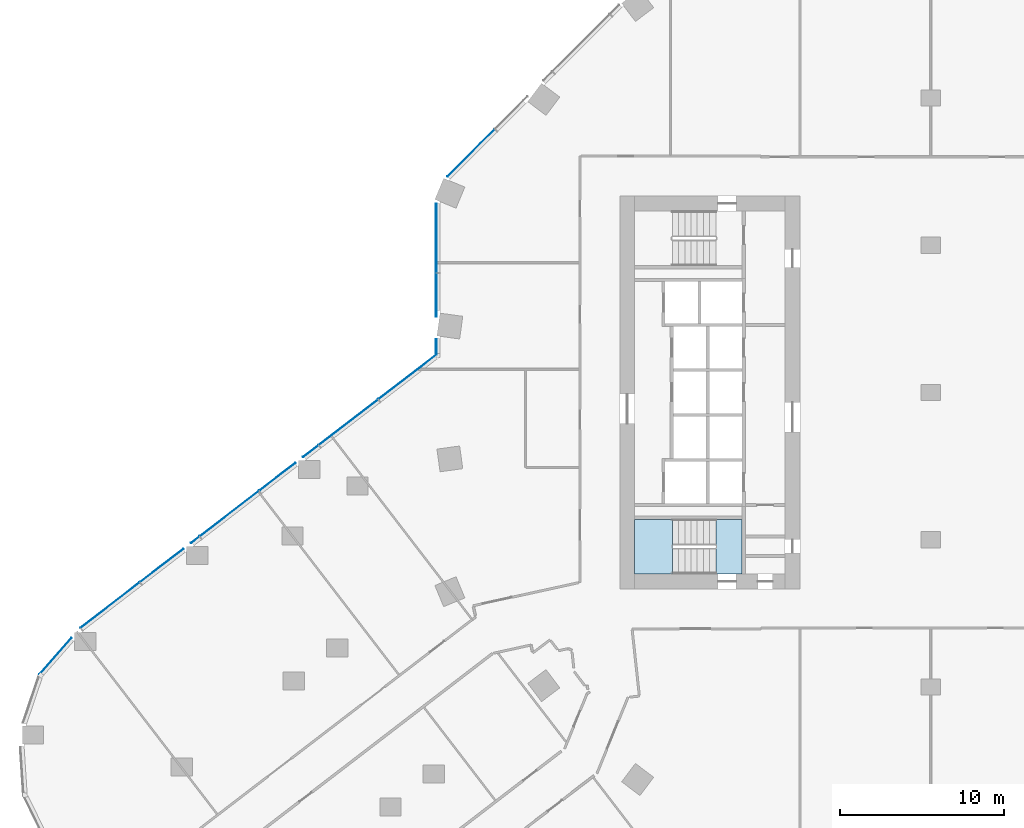
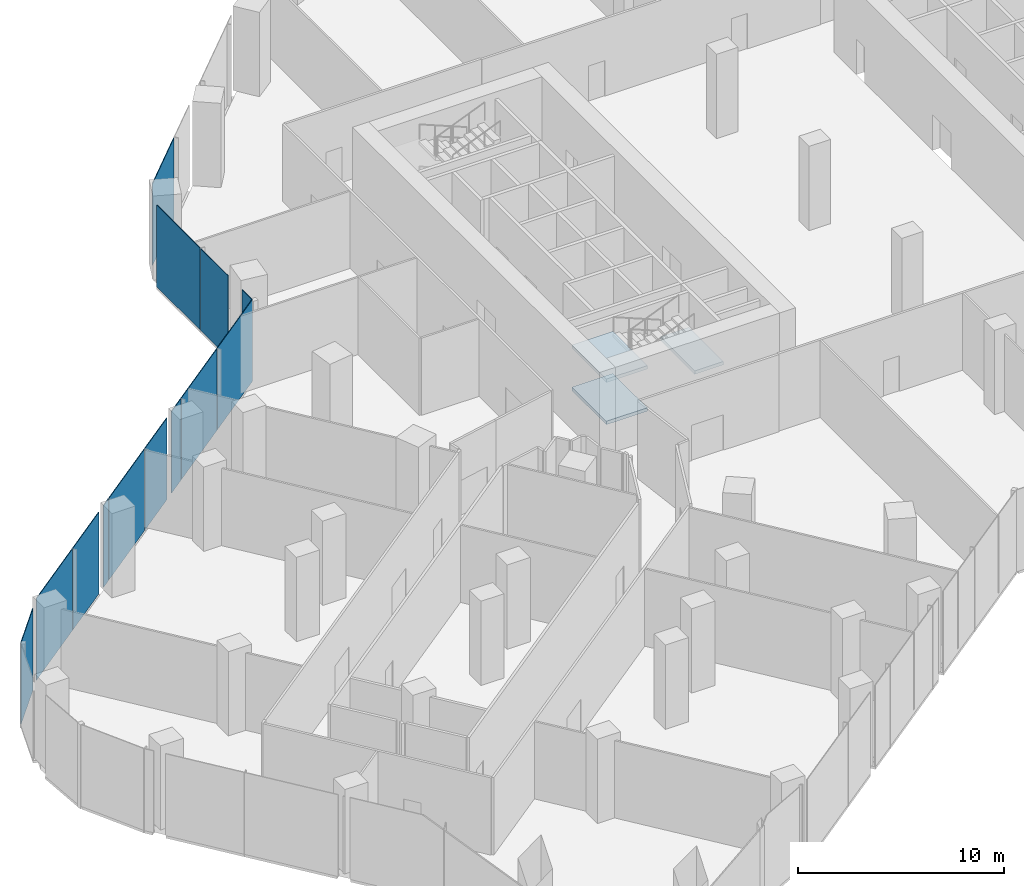
# One storey, part 16 of 29: 13 plates, 3 slabs, 5 elements without a shape of their own.
"""IFC4 building model written with IfcOpenShell, lengths in metres."""

from ifc_helpers import new_model, si_unit, direction, frame, origin, origin_2d, place, context, subcontext, project, spatial, polyline, rectangle, outline, extrude, material, layer, layer_set, type_object, element, aggregate, save


model = new_model("IFC4")

# Units and contexts
model_context = context("Model", 3, precision=1e-05, world=origin(), true_north=direction((0.0, 1.0)))
body_context = subcontext(model_context, "Body", "Model", "MODEL_VIEW")
ifc_project = project(units=[si_unit("LENGTHUNIT", "METRE"), si_unit("AREAUNIT", "SQUARE_METRE"), si_unit("VOLUMEUNIT", "CUBIC_METRE"), si_unit("PLANEANGLEUNIT", "RADIAN"), si_unit("MASSUNIT", "GRAM", prefix="KILO")], contexts=[model_context])

# Site, building, storey
site_placement = place(None, origin())
site = spatial("IfcSite", under=ifc_project, at=site_placement, CompositionType="ELEMENT")
building_placement = place(site_placement, origin())
building = spatial("IfcBuilding", under=site, at=building_placement, Name="Orlundy Tower", CompositionType="ELEMENT")
storey_placement = place(building_placement, frame((0.0, 0.0, 15.5)))
storey = spatial("IfcBuildingStorey", under=building, at=storey_placement, Name="L02", CompositionType="ELEMENT", Elevation=15.5)

# Curtain wall, plate
ifc_material_1 = material(Name="Aluminium bronze anodised", Category="aluminium")
curtain_wall_type = type_object("IfcCurtainWallType", Name="CW2 wall", PredefinedType="NOTDEFINED", material=ifc_material_1)
curtain_wall_1_placement = place(storey_placement, origin())
curtain_wall_1 = element("IfcCurtainWall", 1, at=curtain_wall_1_placement, inside=storey, type_object=curtain_wall_type, Name="CW2 run 011", PredefinedType="NOTDEFINED")
ifc_material_2 = material(Name="Tinted glass", Category="glass")
ifc_layer_1 = layer(ifc_material_2, 0.0380859375)
ifc_layer_set_1 = layer_set([ifc_layer_1], Name="CW2 glass panel 38")
plate_type = type_object("IfcPlateType", Name="CW2 glass panel 38", PredefinedType="CURTAIN_PANEL", material=ifc_layer_set_1)
plate_1_placement = place(storey_placement, frame((-53.513916015625, -16.126220703125, -0.25), z_axis=(0.0, 0.0, 1.0), x_axis=(0.65932547196, 0.751857647447, 0.0)))
plate_1 = element("IfcPlate", 2, at=plate_1_placement, type_object=plate_type, Name="CW2 panel", PredefinedType="CURTAIN_PANEL", context=body_context, shape_type="SweptSolid", body=[
    extrude(rectangle(XDim=2.963623046875, YDim=0.0380859375, at=origin_2d()), origin(), (0.0, 0.0, 1.0), 4.85009765625),
])
aggregate(curtain_wall_1, [plate_1])

# Curtain wall, plates
curtain_wall_2_placement = place(storey_placement, origin())
curtain_wall_2 = element("IfcCurtainWall", 3, at=curtain_wall_2_placement, inside=storey, type_object=curtain_wall_type, Name="CW2 run 012", PredefinedType="NOTDEFINED")
plate_2_placement = place(storey_placement, frame((-50.17236328125, -12.997802734375, -0.25), z_axis=(0.0, 0.0, 1.0), x_axis=(0.793348488271, 0.608767752232, 0.0)))
plate_2 = element("IfcPlate", 4, at=plate_2_placement, type_object=plate_type, Name="CW2 panel", PredefinedType="CURTAIN_PANEL", context=body_context, shape_type="SweptSolid", body=[
    extrude(rectangle(XDim=4.5615234375, YDim=0.0380859375, at=origin_2d()), origin(), (0.0, 0.0, 1.0), 4.85009765625),
])
plate_3_placement = place(storey_placement, frame((-47.006591796875, -10.568603515625, -0.25), z_axis=(0.0, 0.0, 1.0), x_axis=(0.793348488271, 0.608767752232, 0.0)))
plate_3 = element("IfcPlate", 5, at=plate_3_placement, type_object=plate_type, Name="CW2 panel", PredefinedType="CURTAIN_PANEL", context=body_context, shape_type="SweptSolid", body=[
    extrude(rectangle(XDim=3.319091796875, YDim=0.0380859375, at=origin_2d()), origin(), (0.0, 0.0, 1.0), 4.85009765625),
])
plate_4_placement = place(storey_placement, frame((-44.975341796875, -9.010009765625, -0.25), z_axis=(0.0, 0.0, 1.0), x_axis=(0.793348488271, 0.608767752232, 0.0)))
plate_4 = element("IfcPlate", 6, at=plate_4_placement, type_object=plate_type, Name="CW2 panel", PredefinedType="CURTAIN_PANEL", context=body_context, shape_type="SweptSolid", body=[
    extrude(rectangle(XDim=0.637451171875, YDim=0.0380859375, at=origin_2d()), origin(), (0.0, 0.0, 1.0), 4.85009765625),
])
plate_5_placement = place(storey_placement, frame((-42.88232421875, -7.404052734375, -0.25), z_axis=(0.0, 0.0, 1.0), x_axis=(0.793348488271, 0.608767752232, 0.0)))
plate_5 = element("IfcPlate", 7, at=plate_5_placement, type_object=plate_type, Name="CW2 panel", PredefinedType="CURTAIN_PANEL", context=body_context, shape_type="SweptSolid", body=[
    extrude(rectangle(XDim=4.538818359375, YDim=0.0380859375, at=origin_2d()), origin(), (0.0, 0.0, 1.0), 4.85009765625),
])
plate_6_placement = place(storey_placement, frame((-39.941650390625, -5.1474609375, -0.25), z_axis=(0.0, 0.0, 1.0), x_axis=(0.793348488271, 0.608767752232, 0.0)))
plate_6 = element("IfcPlate", 8, at=plate_6_placement, type_object=plate_type, Name="CW2 panel", PredefinedType="CURTAIN_PANEL", context=body_context, shape_type="SweptSolid", body=[
    extrude(rectangle(XDim=2.774658203125, YDim=0.0380859375, at=origin_2d()), origin(), (0.0, 0.0, 1.0), 4.85009765625),
])
plate_7_placement = place(storey_placement, frame((-37.909912109375, -3.58837890625, -0.25), z_axis=(0.0, 0.0, 1.0), x_axis=(0.793348488271, 0.608767752232, 0.0)))
plate_7 = element("IfcPlate", 9, at=plate_7_placement, type_object=plate_type, Name="CW2 panel", PredefinedType="CURTAIN_PANEL", context=body_context, shape_type="SweptSolid", body=[
    extrude(rectangle(XDim=1.18115234375, YDim=0.0380859375, at=origin_2d()), origin(), (0.0, 0.0, 1.0), 4.85009765625),
])
plate_8_placement = place(storey_placement, frame((-35.601318359375, -1.81689453125, -0.25), z_axis=(0.0, 0.0, 1.0), x_axis=(0.793348488271, 0.608767752232, 0.0)))
plate_8 = element("IfcPlate", 10, at=plate_8_placement, type_object=plate_type, Name="CW2 panel", PredefinedType="CURTAIN_PANEL", context=body_context, shape_type="SweptSolid", body=[
    extrude(rectangle(XDim=4.538818359375, YDim=0.0380859375, at=origin_2d()), origin(), (0.0, 0.0, 1.0), 4.85009765625),
])
plate_9_placement = place(storey_placement, frame((-31.99609375, 0.949462890625, -0.25), z_axis=(0.0, 0.0, 1.0), x_axis=(0.793348488271, 0.608767752232, 0.0)))
plate_9 = element("IfcPlate", 11, at=plate_9_placement, type_object=plate_type, Name="CW2 panel", PredefinedType="CURTAIN_PANEL", context=body_context, shape_type="SweptSolid", body=[
    extrude(rectangle(XDim=4.449951171875, YDim=0.0380859375, at=origin_2d()), origin(), (0.0, 0.0, 1.0), 4.85009765625),
])
aggregate(curtain_wall_2, [plate_2, plate_3, plate_4, plate_5, plate_6, plate_7, plate_8, plate_9])

curtain_wall_3_placement = place(storey_placement, origin())
curtain_wall_3 = element("IfcCurtainWall", 12, at=curtain_wall_3_placement, inside=storey, type_object=curtain_wall_type, Name="CW2 run 013", PredefinedType="NOTDEFINED")
plate_10_placement = place(storey_placement, frame((-30.23095703125, 2.78466796875, -0.25), z_axis=(0.0, 0.0, 1.0), x_axis=(0.0, 1.0, 0.0)))
plate_10 = element("IfcPlate", 13, at=plate_10_placement, type_object=plate_type, Name="CW2 panel", PredefinedType="CURTAIN_PANEL", context=body_context, shape_type="SweptSolid", body=[
    extrude(rectangle(XDim=0.961181640625, YDim=0.0380859375, at=origin_2d()), origin(), (0.0, 0.0, 1.0), 4.85009765625),
])
plate_11_placement = place(storey_placement, frame((-30.23095703125, 5.951904296875, -0.25), z_axis=(0.0, 0.0, 1.0), x_axis=(0.0, 1.0, 0.0)))
plate_11 = element("IfcPlate", 14, at=plate_11_placement, type_object=plate_type, Name="CW2 panel", PredefinedType="CURTAIN_PANEL", context=body_context, shape_type="SweptSolid", body=[
    extrude(rectangle(XDim=2.662353515625, YDim=0.0380859375, at=origin_2d()), origin(), (0.0, 0.0, 1.0), 4.85009765625),
])
plate_12_placement = place(storey_placement, frame((-30.23095703125, 9.4404296875, -0.25), z_axis=(0.0, 0.0, 1.0), x_axis=(0.0, 1.0, 0.0)))
plate_12 = element("IfcPlate", 15, at=plate_12_placement, type_object=plate_type, Name="CW2 panel", PredefinedType="CURTAIN_PANEL", context=body_context, shape_type="SweptSolid", body=[
    extrude(rectangle(XDim=4.215087890625, YDim=0.0380859375, at=origin_2d()), origin(), (0.0, 0.0, 1.0), 4.85009765625),
])
aggregate(curtain_wall_3, [plate_10, plate_11, plate_12])

# Curtain wall, plate
curtain_wall_4_placement = place(storey_placement, origin())
curtain_wall_4 = element("IfcCurtainWall", 16, at=curtain_wall_4_placement, inside=storey, type_object=curtain_wall_type, Name="CW2 run 014", PredefinedType="NOTDEFINED")
plate_13_placement = place(storey_placement, frame((-28.10400390625, 14.648681640625, -0.25), z_axis=(0.0, 0.0, 1.0), x_axis=(0.707106781187, 0.707106781187, 0.0)))
plate_13 = element("IfcPlate", 17, at=plate_13_placement, type_object=plate_type, Name="CW2 panel", PredefinedType="CURTAIN_PANEL", context=body_context, shape_type="SweptSolid", body=[
    extrude(rectangle(XDim=4.066650390625, YDim=0.0380859375, at=origin_2d()), origin(), (0.0, 0.0, 1.0), 4.85009765625),
])
aggregate(curtain_wall_4, [plate_13])

# Stair, slabs
ifc_material_3 = material(Name="Concrete C50/60", Category="concrete")
stair_type = type_object("IfcStairType", Name="Exit Stair 32 risers", PredefinedType="HALF_TURN_STAIR", material=ifc_material_3)
stair_placement = place(storey_placement, origin())
stair = element("IfcStair", 18, at=stair_placement, inside=storey, type_object=stair_type, Name="L02 Exit Stair ST-W2", PredefinedType="HALF_TURN_STAIR")
ifc_material_4 = material(Name="Concrete C50/60", Category="concrete")
ifc_layer_2 = layer(ifc_material_4, 0.199951171875)
ifc_layer_set_2 = layer_set([ifc_layer_2], Name="Exit Stair Landing")
slab_type = type_object("IfcSlabType", Name="Exit Stair Landing", PredefinedType="LANDING", material=ifc_layer_set_2)
slab_1_placement = place(storey_placement, frame((0.0, 0.0, 1.050048828125)))
slab_1 = element("IfcSlab", 19, at=slab_1_placement, type_object=slab_type, Name="ST-W2 landing 1", PredefinedType="LANDING", context=body_context, shape_type="SweptSolid", body=[
    extrude(outline(polyline([(-15.800048828125, -7.75), (-18.10009765625, -7.75), (-18.10009765625, -11.10009765625), (-15.800048828125, -11.10009765625), (-15.800048828125, -7.75)])), origin(), (0.0, 0.0, 1.0), 0.199951171875),
])
slab_2_placement = place(storey_placement, frame((0.0, 0.0, 2.300048828125)))
slab_2 = element("IfcSlab", 20, at=slab_2_placement, type_object=slab_type, Name="ST-W2 landing 2", PredefinedType="LANDING", context=body_context, shape_type="SweptSolid", body=[
    extrude(outline(polyline([(-11.5400390625, -7.75), (-13.139892578125, -7.75), (-13.139892578125, -11.10009765625), (-11.5400390625, -11.10009765625), (-11.5400390625, -7.75)])), origin(), (0.0, 0.0, 1.0), 0.199951171875),
])
slab_3_placement = place(storey_placement, frame((0.0, 0.0, 3.550048828125)))
slab_3 = element("IfcSlab", 21, at=slab_3_placement, type_object=slab_type, Name="ST-W2 landing 3", PredefinedType="LANDING", context=body_context, shape_type="SweptSolid", body=[
    extrude(outline(polyline([(-15.800048828125, -7.75), (-18.10009765625, -7.75), (-18.10009765625, -11.10009765625), (-15.800048828125, -11.10009765625), (-15.800048828125, -7.75)])), origin(), (0.0, 0.0, 1.0), 0.199951171875),
])
aggregate(stair, [slab_1, slab_2, slab_3])

save(model, "model.ifc")
